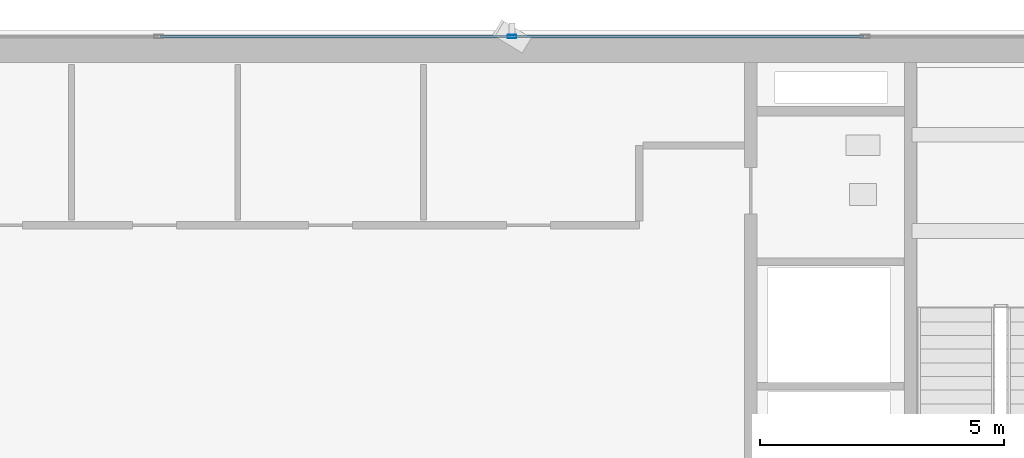
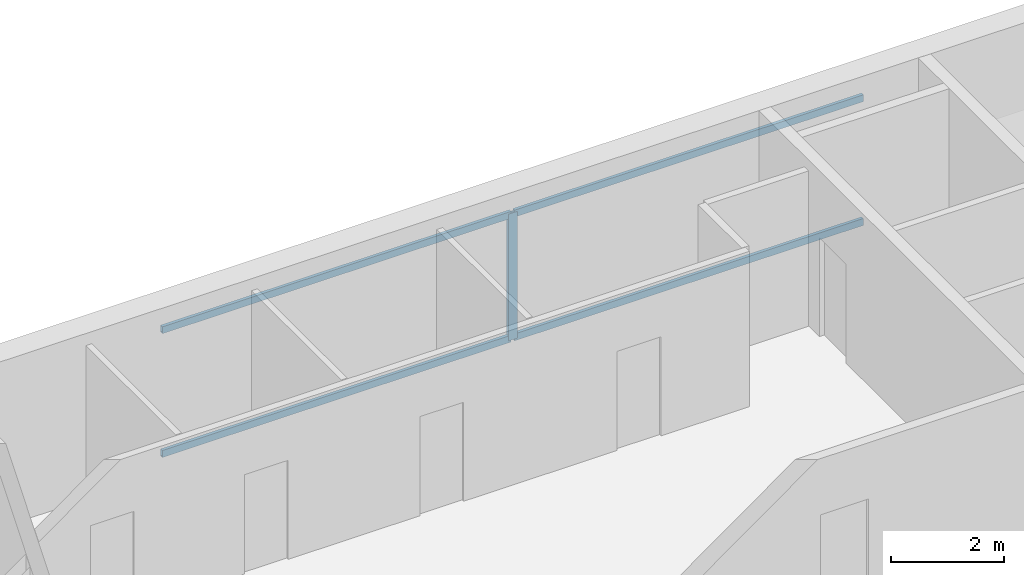
# One storey, part 13 of 23: 5 members, 1 element without a shape of its own.
"""IFC4 building model written with IfcOpenShell, lengths in metres."""

import ifcopenshell
import ifcopenshell.guid

model = None  # the IFC model being written
_history = None  # IfcOwnerHistory: only IFC2X3 demands one
_inside = {}  # id of a spatial element -> (the spatial element, [elements in it])
_under = {}  # id of a project, library or spatial element -> (it, [spatial elements below it])
_declared = {}  # id of a project -> (the project, [libraries it declares])
_typed = {}  # id of a type object -> (the type object, [elements of that type])
_made_of = {}  # id of a material, layer set ... -> (it, [elements and type objects made of it])


def new_model(schema):
    """Start an empty IFC model of exactly this schema.

    Asked for "IFC4X3", IfcOpenShell would pick the latest addendum, in which some entities
    have other attributes; the version numbers below select the first issue.
    IFC2X3 requires an IfcOwnerHistory on every rooted entity: one is made here for all.
    """
    global model, _history
    if schema == "IFC4X3":
        model = ifcopenshell.file(schema_version=(4, 3, 0, 0))
    else:
        model = ifcopenshell.file(schema=schema)
    _inside.clear()
    _under.clear()
    _declared.clear()
    _typed.clear()
    _made_of.clear()
    _history = None
    if model.schema == "IFC2X3":
        org = make("IfcOrganization", Name="unknown")
        user = make(
            "IfcPersonAndOrganization",
            ThePerson=make("IfcPerson", FamilyName="unknown"),
            TheOrganization=org,
        )
        app = make(
            "IfcApplication",
            ApplicationDeveloper=org,
            Version="unknown",
            ApplicationFullName="unknown",
            ApplicationIdentifier="unknown",
        )
        _history = make(
            "IfcOwnerHistory",
            OwningUser=user,
            OwningApplication=app,
            ChangeAction="ADDED",
            CreationDate=0,
        )
    return model


def make(cls, **values):
    """One entity of the class cls with the attributes given. An attribute that is None is left unset."""
    return model.create_entity(
        cls, **{name: value for name, value in values.items() if value is not None}
    )


def rooted(cls, **values):
    """An entity with a GlobalId (a new one), such as an element, a storey or a relation."""
    return make(cls, GlobalId=ifcopenshell.guid.new(), OwnerHistory=_history, **values)


def si_unit(unit_type, name, prefix=None):
    """IfcSIUnit, for example si_unit("LENGTHUNIT", "METRE", prefix="MILLI")."""
    return make("IfcSIUnit", UnitType=unit_type, Prefix=prefix, Name=name)


def assignment(units):
    """IfcUnitAssignment: the units of a project."""
    return None if units is None else make("IfcUnitAssignment", Units=units)


def point(xyz):
    """IfcCartesianPoint."""
    return None if xyz is None else make("IfcCartesianPoint", Coordinates=xyz)


def direction(xyz):
    """IfcDirection."""
    return None if xyz is None else make("IfcDirection", DirectionRatios=xyz)


def frame(location, z_axis=None, x_axis=None):
    """IfcAxis2Placement3D, a coordinate frame: its origin and axes. An axis left out is left unset."""
    return make(
        "IfcAxis2Placement3D",
        Location=point(location),
        Axis=direction(z_axis),
        RefDirection=direction(x_axis),
    )


def frame_2d(location, x_axis=None):
    """IfcAxis2Placement2D, a coordinate frame in the plane: its origin and x axis."""
    return make(
        "IfcAxis2Placement2D", Location=point(location), RefDirection=direction(x_axis)
    )


def origin():
    """The frame at (0, 0, 0) with its axes left unset."""
    return frame((0.0, 0.0, 0.0))


def origin_2d():
    """The frame at (0, 0) in the plane with its x axis left unset."""
    return frame_2d((0.0, 0.0))


def place(relative_to, where):
    """IfcLocalPlacement: puts the frame where relative to a parent placement (None: the world)."""
    return make(
        "IfcLocalPlacement", PlacementRelTo=relative_to, RelativePlacement=where
    )


def context(
    kind, dimensions, precision=None, world=None, true_north=None, identifier=None
):
    """IfcGeometricRepresentationContext, for example the 3D "Model" context."""
    return make(
        "IfcGeometricRepresentationContext",
        ContextIdentifier=identifier,
        ContextType=kind,
        CoordinateSpaceDimension=dimensions,
        Precision=precision,
        WorldCoordinateSystem=world,
        TrueNorth=true_north,
    )


def subcontext(parent, identifier, kind, view, scale=None):
    """IfcGeometricRepresentationSubContext, for example "Body" below "Model"."""
    return make(
        "IfcGeometricRepresentationSubContext",
        ContextIdentifier=identifier,
        ContextType=kind,
        ParentContext=parent,
        TargetScale=scale,
        TargetView=view,
    )


def project(units=None, contexts=None):
    """IfcProject with its units and contexts."""
    return rooted(
        "IfcProject",
        Name="project",
        RepresentationContexts=contexts,
        UnitsInContext=assignment(units),
    )


def spatial(cls, under=None, at=None, **own):
    """A site, building, storey or space (cls), placed at a placement, below another one or the project."""
    s = rooted(cls, ObjectPlacement=at, **own)
    if under is not None:
        _under.setdefault(under.id(), (under, []))[1].append(s)
    return s


def profile(cls, at=None, kind="AREA", **sizes):
    """A parametric profile (cls). Its sizes go by their IFC names, for example OverallWidth=200.0."""
    return make(cls, ProfileType=kind, Position=at, **sizes)


def hollow_rectangle(**sizes):
    """IfcRectangleHollowProfileDef."""
    return profile("IfcRectangleHollowProfileDef", **sizes)


def extrude(swept, where, along, depth):
    """IfcExtrudedAreaSolid: the profile swept, set in the frame where, extruded along a direction by depth."""
    return make(
        "IfcExtrudedAreaSolid",
        SweptArea=swept,
        Position=where,
        ExtrudedDirection=direction(along),
        Depth=depth,
    )


def shape(context_of_items, identifier, shape_type, items):
    """IfcShapeRepresentation: the items that make up one representation, for example the "Body"."""
    return make(
        "IfcShapeRepresentation",
        ContextOfItems=context_of_items,
        RepresentationIdentifier=identifier,
        RepresentationType=shape_type,
        Items=items,
    )


def source(mapping_origin, context_of_items, identifier, shape_type, items):
    """IfcRepresentationMap: a shape defined once, which mapped items show again and again."""
    return make(
        "IfcRepresentationMap",
        MappingOrigin=mapping_origin,
        MappedRepresentation=shape(context_of_items, identifier, shape_type, items),
    )


def transform(
    local_origin,
    x_axis=None,
    y_axis=None,
    z_axis=None,
    scale=None,
    scale2=None,
    scale3=None,
    uniform=True,
):
    """IfcCartesianTransformationOperator3D, or its non-uniform kind. x_axis, y_axis, z_axis: its Axis1, 2, 3."""
    if uniform:
        return make(
            "IfcCartesianTransformationOperator3D",
            Axis1=direction(x_axis),
            Axis2=direction(y_axis),
            LocalOrigin=point(local_origin),
            Scale=scale,
            Axis3=direction(z_axis),
        )
    return make(
        "IfcCartesianTransformationOperator3DnonUniform",
        Axis1=direction(x_axis),
        Axis2=direction(y_axis),
        LocalOrigin=point(local_origin),
        Scale=scale,
        Axis3=direction(z_axis),
        Scale2=scale2,
        Scale3=scale3,
    )


def mapped(mapping_source, mapping_target):
    """IfcMappedItem: shows the shape of a source again, moved by a transform."""
    return make(
        "IfcMappedItem", MappingSource=mapping_source, MappingTarget=mapping_target
    )


def material(Name=None, Category=None):
    """IfcMaterial."""
    return make("IfcMaterial", Name=Name, Category=Category)


def layer(
    of_material, thickness, ventilated=None, Name=None, Category=None, Priority=None
):
    """IfcMaterialLayer: one layer of a wall or slab, of a material (None: an air gap)."""
    return make(
        "IfcMaterialLayer",
        Material=of_material,
        LayerThickness=thickness,
        IsVentilated=ventilated,
        Name=Name,
        Category=Category,
        Priority=Priority,
    )


def layer_set(layers, Name=None):
    """IfcMaterialLayerSet."""
    return make("IfcMaterialLayerSet", MaterialLayers=layers, LayerSetName=Name)


def material_profile(
    of_material, cross_section, Name=None, Category=None, Priority=None
):
    """IfcMaterialProfile: a cross section and its material."""
    return make(
        "IfcMaterialProfile",
        Name=Name,
        Material=of_material,
        Profile=cross_section,
        Priority=Priority,
        Category=Category,
    )


def profile_set(profiles, Name=None, composite=None):
    """IfcMaterialProfileSet."""
    return make(
        "IfcMaterialProfileSet",
        Name=Name,
        MaterialProfiles=profiles,
        CompositeProfile=composite,
    )


def made_of(thing, what):
    """Note that an element or type object is made of a material, layer set ...; save() writes the relation."""
    if what is not None:
        _made_of.setdefault(what.id(), (what, []))[1].append(thing)
    return thing


def type_object(cls, material=None, **own):
    """A type object (cls), such as IfcWallType, which elements share."""
    return made_of(rooted(cls, **own), material)


def element(
    cls,
    number,
    at=None,
    inside=None,
    cuts=None,
    type_object=None,
    material=None,
    context=None,
    identifier="Body",
    shape_type=None,
    held_by="IfcProductDefinitionShape",
    body=None,
    shapes=None,
    **own,
):
    """One element of the class cls, such as IfcWall. Its Tag is "e" and its number.

    at: its placement. inside: the storey or other place that contains it. cuts: it is an
    opening in that element (IfcRelVoidsElement). A single representation is given by context,
    identifier, shape_type and body (its items); several are given by shapes. held_by: the class
    of the entity that holds the representations. save() writes the other relations.
    """
    e = rooted(cls, Tag="e%d" % number, ObjectPlacement=at, **own)
    if body is not None:
        shapes = [shape(context, identifier, shape_type, body)]
    if shapes is not None:
        e.Representation = make(held_by, Representations=shapes)
    if inside is not None:
        _inside.setdefault(inside.id(), (inside, []))[1].append(e)
    if cuts is not None:
        rooted(
            "IfcRelVoidsElement", RelatingBuildingElement=cuts, RelatedOpeningElement=e
        )
    if type_object is not None:
        _typed.setdefault(type_object.id(), (type_object, []))[1].append(e)
    return made_of(e, material)


def aggregate(whole, parts):
    """IfcRelAggregates: a whole, such as a stair, and the parts it consists of."""
    return rooted("IfcRelAggregates", RelatingObject=whole, RelatedObjects=parts)


def save(model, path):
    """Write the relations noted so far, then the file.

    IfcRelAggregates (storeys below a building ...), IfcRelContainedInSpatialStructure (elements
    in a storey), IfcRelDefinesByType, IfcRelAssociatesMaterial and IfcRelDeclares: one each for
    every whole, place, type object, material and project.
    """
    for whole, parts in _under.values():
        aggregate(whole, parts)
    for where, things in _inside.values():
        rooted(
            "IfcRelContainedInSpatialStructure",
            RelatedElements=things,
            RelatingStructure=where,
        )
    for kind, things in _typed.values():
        rooted("IfcRelDefinesByType", RelatedObjects=things, RelatingType=kind)
    for what, things in _made_of.values():
        rooted("IfcRelAssociatesMaterial", RelatedObjects=things, RelatingMaterial=what)
    for by, libraries in _declared.values():
        rooted("IfcRelDeclares", RelatingContext=by, RelatedDefinitions=libraries)
    model.write(path)


model = new_model("IFC4")

# Units and contexts
model_context = context("Model", 3, precision=1e-05, world=origin(), true_north=direction((0.0, 1.0)))
body_context = subcontext(model_context, "Body", "Model", "MODEL_VIEW")
ifc_project = project(units=[si_unit("LENGTHUNIT", "METRE"), si_unit("AREAUNIT", "SQUARE_METRE"), si_unit("VOLUMEUNIT", "CUBIC_METRE"), si_unit("PLANEANGLEUNIT", "RADIAN"), si_unit("MASSUNIT", "GRAM", prefix="KILO")], contexts=[model_context])

# Site, building, storey
site_placement = place(None, origin())
site = spatial("IfcSite", under=ifc_project, at=site_placement, CompositionType="ELEMENT")
building_placement = place(site_placement, origin())
building = spatial("IfcBuilding", under=site, at=building_placement, Name="Sumidabori Civic Tower", CompositionType="ELEMENT")
storey_placement = place(building_placement, frame((0.0, 0.0, 275.60009765625)))
storey = spatial("IfcBuildingStorey", under=building, at=storey_placement, Name="L72", CompositionType="ELEMENT", Elevation=275.60009765625)

# Curtain wall, members
ifc_material = material(Name="Anodised Bronze Aluminium AW-6063-T6", Category="aluminium")
ifc_layer = layer(ifc_material, 0.179931640625, Name="Anodised Bronze Aluminium AW-6063-T6")
ifc_layer_set = layer_set([ifc_layer], Name="Anodised Bronze Aluminium AW-6063-T6")
curtain_wall_type = type_object("IfcCurtainWallType", Name="CW-SYS-6", PredefinedType="NOTDEFINED", material=ifc_layer_set)
curtain_wall_placement = place(storey_placement, origin())
curtain_wall = element("IfcCurtainWall", 1, at=curtain_wall_placement, inside=storey, type_object=curtain_wall_type, Name="Curtain Wall CW:L72:R07", PredefinedType="NOTDEFINED")
ifc_material_profile_1 = material_profile(ifc_material, hollow_rectangle(XDim=0.070068359375, YDim=0.179931640625, WallThickness=0.006103515625, at=origin_2d()), Name="ALU MULLION 180x70")
ifc_profile_set_1 = profile_set([ifc_material_profile_1], Name="Anodised Bronze Aluminium AW-6063-T6")
member_type_1 = type_object("IfcMemberType", Name="CW-MUL-180", PredefinedType="MULLION", material=ifc_profile_set_1)
shared_shape_1 = source(origin(), body_context, "Body", "SweptSolid", [
    extrude(hollow_rectangle(XDim=0.070068359375, YDim=0.179931640625, WallThickness=0.006103515625, at=origin_2d()), origin(), (0.0, 0.0, 1.0), 2.75),
])
member_1_placement = place(storey_placement, frame((3.614013671875, 24.080078125, 0.0), z_axis=(0.0, 0.0, 1.0), x_axis=(0.0, -1.0, 0.0)))
member_1 = element("IfcMember", 2, at=member_1_placement, type_object=member_type_1, Name="CW-6 mullion 3", PredefinedType="MULLION", context=body_context, shape_type="MappedRepresentation", body=[
    mapped(shared_shape_1, transform((0.0, 0.0, 0.0), x_axis=(1.0, 0.0, 0.0), y_axis=(0.0, 1.0, 0.0), z_axis=(0.0, 0.0, 1.0), scale=1.0)),
])
ifc_material_profile_2 = material_profile(ifc_material, hollow_rectangle(XDim=0.06494140625, YDim=0.14990234375, WallThickness=0.0048828125, at=origin_2d()), Name="ALU TRANSOM 150x65")
ifc_profile_set_2 = profile_set([ifc_material_profile_2], Name="Anodised Bronze Aluminium AW-6063-T6")
member_type_2 = type_object("IfcMemberType", Name="CW-TRN-150", PredefinedType="USERDEFINED", material=ifc_profile_set_2)
shared_shape_2 = source(origin(), body_context, "Body", "SweptSolid", [
    extrude(hollow_rectangle(XDim=0.06494140625, YDim=0.14990234375, WallThickness=0.0048828125, at=origin_2d()), origin(), (0.0, 0.0, 1.0), 7.157958984375),
])
member_2_placement = place(storey_placement, frame((10.806884765625, 24.080078125, 0.032470703125), z_axis=(-1.0, 0.0, 0.0), x_axis=(0.0, -1.0, 0.0)))
member_2 = element("IfcMember", 3, at=member_2_placement, type_object=member_type_2, Name="CW-6 transom 2.1", ObjectType="TRANSOM", PredefinedType="USERDEFINED", context=body_context, shape_type="MappedRepresentation", body=[
    mapped(shared_shape_2, transform((0.0, 0.0, 0.0), x_axis=(1.0, 0.0, 0.0), y_axis=(0.0, 1.0, 0.0), z_axis=(0.0, 0.0, 1.0), scale=1.0)),
])
member_3_placement = place(storey_placement, frame((10.806884765625, 24.080078125, 2.71728515625), z_axis=(-1.0, 0.0, 0.0), x_axis=(0.0, -1.0, 0.0)))
member_3 = element("IfcMember", 4, at=member_3_placement, type_object=member_type_2, Name="CW-6 transom 2.2", ObjectType="TRANSOM", PredefinedType="USERDEFINED", context=body_context, shape_type="MappedRepresentation", body=[
    mapped(shared_shape_2, transform((0.0, 0.0, 0.0), x_axis=(1.0, 0.0, 0.0), y_axis=(0.0, 1.0, 0.0), z_axis=(0.0, 0.0, 1.0), scale=1.0)),
])
shared_shape_3 = source(origin(), body_context, "Body", "SweptSolid", [
    extrude(hollow_rectangle(XDim=0.06494140625, YDim=0.14990234375, WallThickness=0.0048828125, at=origin_2d()), origin(), (0.0, 0.0, 1.0), 7.158203125),
])
member_4_placement = place(storey_placement, frame((3.5791015625, 24.080078125, 0.032470703125), z_axis=(-1.0, 0.0, 0.0), x_axis=(0.0, -1.0, 0.0)))
member_4 = element("IfcMember", 5, at=member_4_placement, type_object=member_type_2, Name="CW-6 transom 3.1", ObjectType="TRANSOM", PredefinedType="USERDEFINED", context=body_context, shape_type="MappedRepresentation", body=[
    mapped(shared_shape_3, transform((0.0, 0.0, 0.0), x_axis=(1.0, 0.0, 0.0), y_axis=(0.0, 1.0, 0.0), z_axis=(0.0, 0.0, 1.0), scale=1.0)),
])
member_5_placement = place(storey_placement, frame((3.5791015625, 24.080078125, 2.71728515625), z_axis=(-1.0, 0.0, 0.0), x_axis=(0.0, -1.0, 0.0)))
member_5 = element("IfcMember", 6, at=member_5_placement, type_object=member_type_2, Name="CW-6 transom 3.2", ObjectType="TRANSOM", PredefinedType="USERDEFINED", context=body_context, shape_type="MappedRepresentation", body=[
    mapped(shared_shape_3, transform((0.0, 0.0, 0.0), x_axis=(1.0, 0.0, 0.0), y_axis=(0.0, 1.0, 0.0), z_axis=(0.0, 0.0, 1.0), scale=1.0)),
])
aggregate(curtain_wall, [member_1, member_2, member_3, member_4, member_5])

save(model, "model.ifc")
